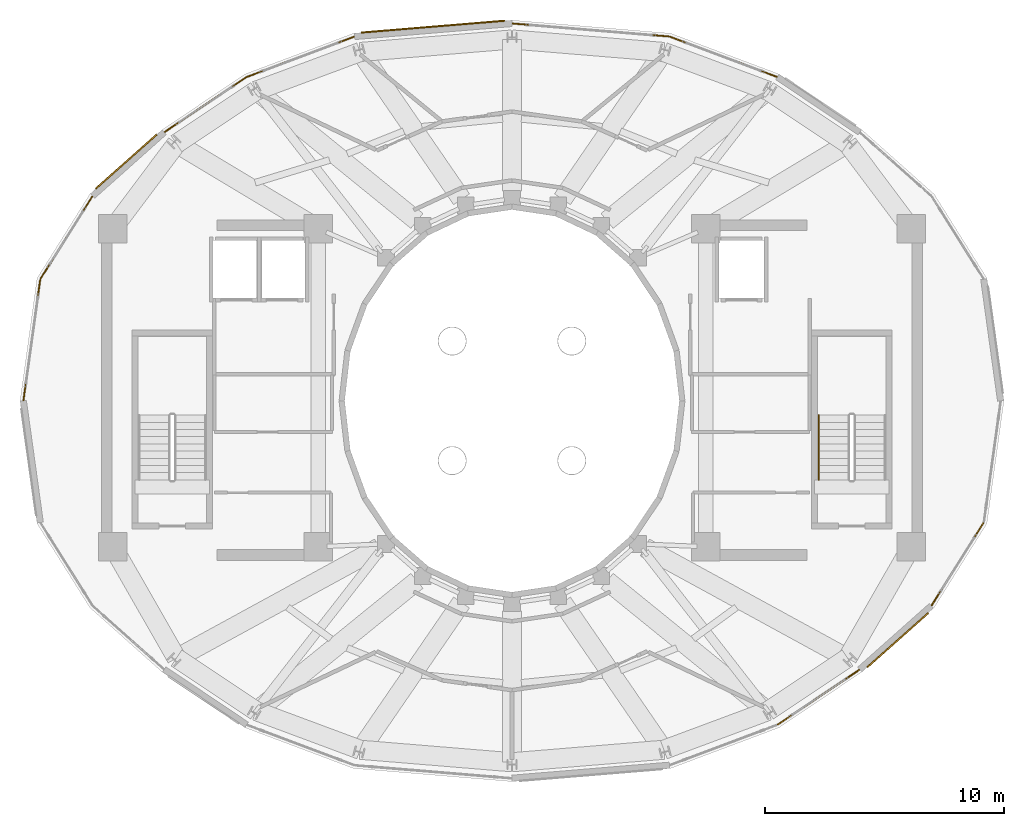
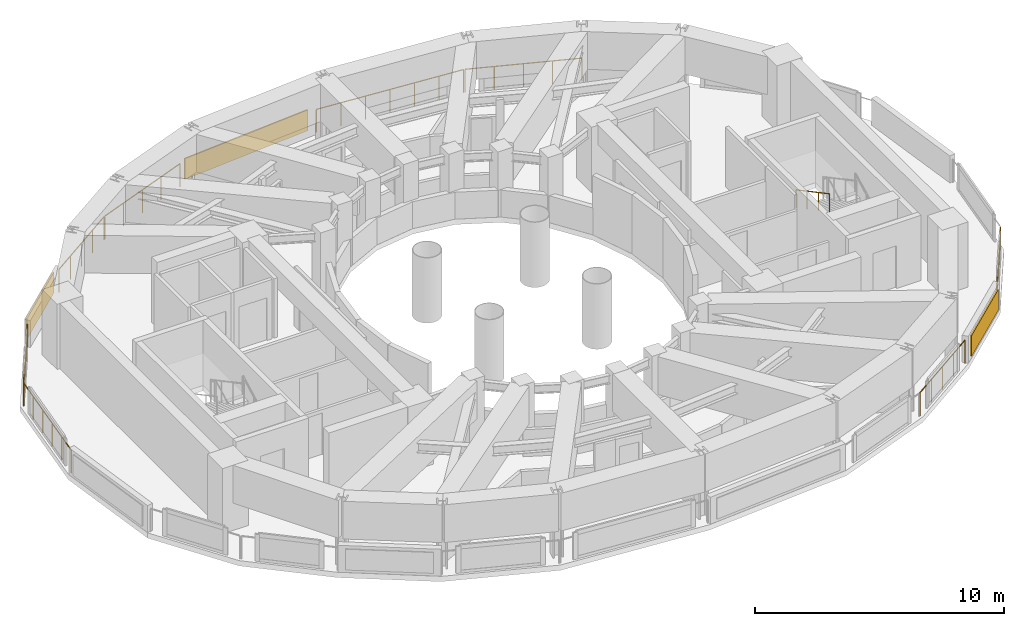
# One storey, part 16 of 17: 9 railings, 3 shading devices.
"""IFC4 building model written with IfcOpenShell, lengths in metres."""

from ifc_helpers import new_model, si_unit, direction, frame, origin, origin_2d, place, context, subcontext, project, spatial, rectangle, circle, extrude, material, layer, layer_set, type_object, element, save


model = new_model("IFC4")

# Units and contexts
model_context = context("Model", 3, precision=1e-05, world=origin(), true_north=direction((0.0, 1.0)))
body_context = subcontext(model_context, "Body", "Model", "MODEL_VIEW")
ifc_project = project(units=[si_unit("LENGTHUNIT", "METRE"), si_unit("AREAUNIT", "SQUARE_METRE"), si_unit("VOLUMEUNIT", "CUBIC_METRE"), si_unit("PLANEANGLEUNIT", "RADIAN"), si_unit("MASSUNIT", "GRAM", prefix="KILO")], contexts=[model_context])

# Site, building, storey
site_placement = place(None, origin())
site = spatial("IfcSite", under=ifc_project, at=site_placement, CompositionType="ELEMENT")
building_placement = place(site_placement, origin())
building = spatial("IfcBuilding", under=site, at=building_placement, Name="Solvane Sanctuary Tower", CompositionType="ELEMENT")
storey_placement = place(building_placement, frame((0.0, 0.0, 270.0)))
storey = spatial("IfcBuildingStorey", under=building, at=storey_placement, Name="L82", CompositionType="ELEMENT", Elevation=270.0)

# Railings
ifc_material_1 = material(Name="Architectural Stainless Steel 316", Category="steel")
railing_type_1 = type_object("IfcRailingType", Name="Railing GR-BALC-1150", PredefinedType="BALUSTRADE", material=ifc_material_1)
railing_1_placement = place(storey_placement, frame((43.07080078125, 36.559326171875, 0.0)))
element("IfcRailing", 1, at=railing_1_placement, inside=storey, type_object=railing_type_1, Name="L82 Crown Curtain-Wall Sill Guard 04", PredefinedType="BALUSTRADE", context=body_context, shape_type="SweptSolid", body=[
    extrude(circle(Radius=0.02392578125, at=origin_2d()), frame((0.0, 0.0, 1.1259765625), z_axis=(-0.936318639039, 0.351151543052, 0.0), x_axis=(-0.351151543052, -0.936318639039, 0.0)), (0.0, 0.0, 1.0), 4.760498046875),
    extrude(circle(Radius=0.02099609375, at=origin_2d()), origin(), (0.0, 0.0, 1.0), 1.101806640625),
    extrude(circle(Radius=0.02099609375, at=origin_2d()), frame((-1.1142578125, 0.41796875, 0.0)), (0.0, 0.0, 1.0), 1.101806640625),
    extrude(circle(Radius=0.02099609375, at=origin_2d()), frame((-2.228515625, 0.8359375, 0.0)), (0.0, 0.0, 1.0), 1.101806640625),
    extrude(circle(Radius=0.02099609375, at=origin_2d()), frame((-3.343017578125, 1.253662109375, 0.0)), (0.0, 0.0, 1.0), 1.101806640625),
    extrude(circle(Radius=0.02099609375, at=origin_2d()), frame((-4.457275390625, 1.671630859375, 0.0)), (0.0, 0.0, 1.0), 1.101806640625),
])
railing_2_placement = place(storey_placement, frame((38.5556640625, 38.243896484375, 0.0)))
element("IfcRailing", 2, at=railing_2_placement, inside=storey, type_object=railing_type_1, Name="L82 Crown Curtain-Wall Sill Guard 05", PredefinedType="BALUSTRADE", context=body_context, shape_type="SweptSolid", body=[
    extrude(circle(Radius=0.02392578125, at=origin_2d()), frame((0.0, 0.0, 1.1259765625), z_axis=(-0.996587287525, 0.082545613714, 0.0), x_axis=(-0.082545613714, -0.996587287525, 0.0)), (0.0, 0.0, 1.0), 6.54833984375),
    extrude(circle(Radius=0.02099609375, at=origin_2d()), origin(), (0.0, 0.0, 1.0), 1.101806640625),
    extrude(circle(Radius=0.02099609375, at=origin_2d()), frame((-1.087646484375, 0.090087890625, 0.0)), (0.0, 0.0, 1.0), 1.101806640625),
    extrude(circle(Radius=0.02099609375, at=origin_2d()), frame((-2.17529296875, 0.18017578125, 0.0)), (0.0, 0.0, 1.0), 1.101806640625),
    extrude(circle(Radius=0.02099609375, at=origin_2d()), frame((-3.262939453125, 0.270263671875, 0.0)), (0.0, 0.0, 1.0), 1.101806640625),
    extrude(circle(Radius=0.02099609375, at=origin_2d()), frame((-4.3505859375, 0.3603515625, 0.0)), (0.0, 0.0, 1.0), 1.101806640625),
    extrude(circle(Radius=0.02099609375, at=origin_2d()), frame((-5.438232421875, 0.450439453125, 0.0)), (0.0, 0.0, 1.0), 1.101806640625),
    extrude(circle(Radius=0.02099609375, at=origin_2d()), frame((-6.52587890625, 0.54052734375, 0.0)), (0.0, 0.0, 1.0), 1.101806640625),
])
railing_3_placement = place(storey_placement, frame((25.386474609375, 38.23095703125, 0.0)))
element("IfcRailing", 3, at=railing_3_placement, inside=storey, type_object=railing_type_1, Name="L82 Crown Curtain-Wall Sill Guard 07", PredefinedType="BALUSTRADE", context=body_context, shape_type="SweptSolid", body=[
    extrude(circle(Radius=0.02392578125, at=origin_2d()), frame((0.0, 0.0, 1.1259765625), z_axis=(-0.936318639039, -0.351151543052, 0.0), x_axis=(0.351151543052, -0.936318639039, 0.0)), (0.0, 0.0, 1.0), 4.760498046875),
    extrude(circle(Radius=0.02099609375, at=origin_2d()), origin(), (0.0, 0.0, 1.0), 1.101806640625),
    extrude(circle(Radius=0.02099609375, at=origin_2d()), frame((-1.1142578125, -0.41796875, 0.0)), (0.0, 0.0, 1.0), 1.101806640625),
    extrude(circle(Radius=0.02099609375, at=origin_2d()), frame((-2.228515625, -0.8359375, 0.0)), (0.0, 0.0, 1.0), 1.101806640625),
    extrude(circle(Radius=0.02099609375, at=origin_2d()), frame((-3.343017578125, -1.253662109375, 0.0)), (0.0, 0.0, 1.0), 1.101806640625),
    extrude(circle(Radius=0.02099609375, at=origin_2d()), frame((-4.457275390625, -1.671630859375, 0.0)), (0.0, 0.0, 1.0), 1.101806640625),
])
railing_4_placement = place(storey_placement, frame((20.876220703125, 36.531982421875, 0.0)))
element("IfcRailing", 4, at=railing_4_placement, inside=storey, type_object=railing_type_1, Name="L82 Crown Curtain-Wall Sill Guard 08", PredefinedType="BALUSTRADE", context=body_context, shape_type="SweptSolid", body=[
    extrude(circle(Radius=0.02392578125, at=origin_2d()), frame((0.0, 0.0, 1.1259765625), z_axis=(-0.83044982699, -0.557093425606, 0.0), x_axis=(0.557093425606, -0.83044982699, 0.0)), (0.0, 0.0, 1.0), 4.09228515625),
    extrude(circle(Radius=0.02099609375, at=origin_2d()), origin(), (0.0, 0.0, 1.0), 1.101806640625),
    extrude(circle(Radius=0.02099609375, at=origin_2d()), frame((-0.849609375, -0.56982421875, 0.0)), (0.0, 0.0, 1.0), 1.101806640625),
    extrude(circle(Radius=0.02099609375, at=origin_2d()), frame((-1.69921875, -1.139892578125, 0.0)), (0.0, 0.0, 1.0), 1.101806640625),
    extrude(circle(Radius=0.02099609375, at=origin_2d()), frame((-2.548828125, -1.7099609375, 0.0)), (0.0, 0.0, 1.0), 1.101806640625),
    extrude(circle(Radius=0.02099609375, at=origin_2d()), frame((-3.3984375, -2.27978515625, 0.0)), (0.0, 0.0, 1.0), 1.101806640625),
])
railing_5_placement = place(storey_placement, frame((14.44189453125, 31.547119140625, 0.0)))
element("IfcRailing", 5, at=railing_5_placement, inside=storey, type_object=railing_type_1, Name="L82 Crown Curtain-Wall Sill Guard 10", PredefinedType="BALUSTRADE", context=body_context, shape_type="SweptSolid", body=[
    extrude(circle(Radius=0.02392578125, at=origin_2d()), frame((0.0, 0.0, 1.1259765625), z_axis=(-0.532230689214, -0.846599370103, 0.0), x_axis=(0.846599370103, -0.532230689214, 0.0)), (0.0, 0.0, 1.0), 4.057861328125),
    extrude(circle(Radius=0.02099609375, at=origin_2d()), origin(), (0.0, 0.0, 1.0), 1.101806640625),
    extrude(circle(Radius=0.02099609375, at=origin_2d()), frame((-0.5400390625, -0.85888671875, 0.0)), (0.0, 0.0, 1.0), 1.101806640625),
    extrude(circle(Radius=0.02099609375, at=origin_2d()), frame((-1.079833984375, -1.7177734375, 0.0)), (0.0, 0.0, 1.0), 1.101806640625),
    extrude(circle(Radius=0.02099609375, at=origin_2d()), frame((-1.61962890625, -2.576416015625, 0.0)), (0.0, 0.0, 1.0), 1.101806640625),
    extrude(circle(Radius=0.02099609375, at=origin_2d()), frame((-2.15966796875, -3.435302734375, 0.0)), (0.0, 0.0, 1.0), 1.101806640625),
])
railing_6_placement = place(storey_placement, frame((12.26220703125, 28.056640625, 0.0)))
element("IfcRailing", 6, at=railing_6_placement, inside=storey, type_object=railing_type_1, Name="L82 Crown Curtain-Wall Sill Guard 11", PredefinedType="BALUSTRADE", context=body_context, shape_type="SweptSolid", body=[
    extrude(circle(Radius=0.02392578125, at=origin_2d()), frame((0.0, 0.0, 1.1259765625), z_axis=(-0.137534285679, -0.99049700669, 0.0), x_axis=(0.99049700669, -0.137534285679, 0.0)), (0.0, 0.0, 1.0), 5.0751953125),
    extrude(circle(Radius=0.02099609375, at=origin_2d()), origin(), (0.0, 0.0, 1.0), 1.101806640625),
    extrude(circle(Radius=0.02099609375, at=origin_2d()), frame((-0.1396484375, -1.00537109375, 0.0)), (0.0, 0.0, 1.0), 1.101806640625),
    extrude(circle(Radius=0.02099609375, at=origin_2d()), frame((-0.279296875, -2.0107421875, 0.0)), (0.0, 0.0, 1.0), 1.101806640625),
    extrude(circle(Radius=0.02099609375, at=origin_2d()), frame((-0.418701171875, -3.01611328125, 0.0)), (0.0, 0.0, 1.0), 1.101806640625),
    extrude(circle(Radius=0.02099609375, at=origin_2d()), frame((-0.558349609375, -4.021484375, 0.0)), (0.0, 0.0, 1.0), 1.101806640625),
    extrude(circle(Radius=0.02099609375, at=origin_2d()), frame((-0.697998046875, -5.02685546875, 0.0)), (0.0, 0.0, 1.0), 1.101806640625),
])
railing_7_placement = place(storey_placement, frame((43.123779296875, 9.468017578125, 0.0)))
element("IfcRailing", 7, at=railing_7_placement, inside=storey, type_object=railing_type_1, Name="L82 Crown Curtain-Wall Sill Guard 20", PredefinedType="BALUSTRADE", context=body_context, shape_type="SweptSolid", body=[
    extrude(circle(Radius=0.02392578125, at=origin_2d()), frame((0.0, 0.0, 1.1259765625), z_axis=(0.83044982699, 0.557093425606, 0.0), x_axis=(-0.557093425606, 0.83044982699, 0.0)), (0.0, 0.0, 1.0), 4.09228515625),
    extrude(circle(Radius=0.02099609375, at=origin_2d()), origin(), (0.0, 0.0, 1.0), 1.101806640625),
    extrude(circle(Radius=0.02099609375, at=origin_2d()), frame((0.849609375, 0.56982421875, 0.0)), (0.0, 0.0, 1.0), 1.101806640625),
    extrude(circle(Radius=0.02099609375, at=origin_2d()), frame((1.69921875, 1.139892578125, 0.0)), (0.0, 0.0, 1.0), 1.101806640625),
    extrude(circle(Radius=0.02099609375, at=origin_2d()), frame((2.548828125, 1.7099609375, 0.0)), (0.0, 0.0, 1.0), 1.101806640625),
    extrude(circle(Radius=0.02099609375, at=origin_2d()), frame((3.3984375, 2.27978515625, 0.0)), (0.0, 0.0, 1.0), 1.101806640625),
])
railing_8_placement = place(storey_placement, frame((49.55810546875, 14.452880859375, 0.0)))
element("IfcRailing", 8, at=railing_8_placement, inside=storey, type_object=railing_type_1, Name="L82 Crown Curtain-Wall Sill Guard 22", PredefinedType="BALUSTRADE", context=body_context, shape_type="SweptSolid", body=[
    extrude(circle(Radius=0.02392578125, at=origin_2d()), frame((0.0, 0.0, 1.1259765625), z_axis=(0.532230689214, 0.846599370103, 0.0), x_axis=(-0.846599370103, 0.532230689214, 0.0)), (0.0, 0.0, 1.0), 4.057861328125),
    extrude(circle(Radius=0.02099609375, at=origin_2d()), origin(), (0.0, 0.0, 1.0), 1.101806640625),
    extrude(circle(Radius=0.02099609375, at=origin_2d()), frame((0.5400390625, 0.85888671875, 0.0)), (0.0, 0.0, 1.0), 1.101806640625),
    extrude(circle(Radius=0.02099609375, at=origin_2d()), frame((1.079833984375, 1.7177734375, 0.0)), (0.0, 0.0, 1.0), 1.101806640625),
    extrude(circle(Radius=0.02099609375, at=origin_2d()), frame((1.61962890625, 2.576416015625, 0.0)), (0.0, 0.0, 1.0), 1.101806640625),
    extrude(circle(Radius=0.02099609375, at=origin_2d()), frame((2.15966796875, 3.435302734375, 0.0)), (0.0, 0.0, 1.0), 1.101806640625),
])
railing_type_2 = type_object("IfcRailingType", Name="Railing HR-STAIR-920", PredefinedType="HANDRAIL", material=ifc_material_1)
railing_9_placement = place(storey_placement, frame((44.830078125, 22.39990234375, 1.760009765625)))
element("IfcRailing", 9, at=railing_9_placement, inside=storey, type_object=railing_type_2, Name="L82 ST-2 stair handrail 2", PredefinedType="HANDRAIL", context=body_context, shape_type="SweptSolid", body=[
    extrude(circle(Radius=0.02392578125, at=origin_2d()), frame((0.0, 0.0, 0.8759765625), z_axis=(0.0, -0.882357358376, 0.470579952952), x_axis=(1.0, 0.0, 0.0)), (0.0, 0.0, 1.0), 3.059814453125),
    extrude(circle(Radius=0.02099609375, at=origin_2d()), origin(), (0.0, 0.0, 1.0), 0.851806640625),
    extrude(circle(Radius=0.02099609375, at=origin_2d()), frame((0.0, -0.89990234375, 0.47998046875)), (0.0, 0.0, 1.0), 0.851806640625),
    extrude(circle(Radius=0.02099609375, at=origin_2d()), frame((0.0, -1.800048828125, 0.9599609375)), (0.0, 0.0, 1.0), 0.851806640625),
    extrude(circle(Radius=0.02099609375, at=origin_2d()), frame((0.0, -2.699951171875, 1.43994140625)), (0.0, 0.0, 1.0), 0.851806640625),
])

# Shading devices
ifc_material_2 = material(Name="Anodised Aluminium 6063-T6", Category="aluminium")
ifc_layer = layer(ifc_material_2, 0.06005859375, Name="Anodised Aluminium 6063-T6")
ifc_layer_set = layer_set([ifc_layer], Name="Anodised Aluminium 6063-T6")
shading_device_type = type_object("IfcShadingDeviceType", Name="Shading SHD-LOUVRE", PredefinedType="JALOUSIE", material=ifc_layer_set)
shading_device_placement = place(storey_placement, frame((28.69580078125, 38.65380859375, 0.14990234375), z_axis=(0.0, 0.0, 1.0), x_axis=(-0.996586859333, -0.082550783184, 0.0)))
element("IfcShadingDevice", 10, at=shading_device_placement, inside=storey, type_object=shading_device_type, Name="L82 Crown Storm Louvre Panel 06", PredefinedType="JALOUSIE", context=body_context, shape_type="SweptSolid", body=[
    extrude(rectangle(XDim=6.008056640625, YDim=0.06005859375, at=origin_2d()), origin(), (0.0, 0.0, 1.0), 1.02001953125),
])
for number, where, z_axis, x_axis, name in (
    (11, (15.8623046875, 33.008544921875, 0.14990234375), (0.0, 0.0, 1.0), (-0.74729960892, -0.664487241795, 0.0), "L82 Crown Storm Louvre Panel 09"),
    (12, (48.1376953125, 12.991455078125, 0.14990234375), (0.0, 0.0, 1.0), (0.74729960892, 0.664487241795, 0.0), "L82 Crown Storm Louvre Panel 21"),
):
    element("IfcShadingDevice", number, at=place(storey_placement, frame(where, z_axis=z_axis, x_axis=x_axis)), inside=storey, type_object=shading_device_type, Name=name, PredefinedType="JALOUSIE", context=body_context, shape_type="SweptSolid", body=[
        extrude(rectangle(XDim=3.407958984375, YDim=0.06005859375, at=origin_2d()), origin(), (0.0, 0.0, 1.0), 1.02001953125),
    ])

save(model, "model.ifc")
